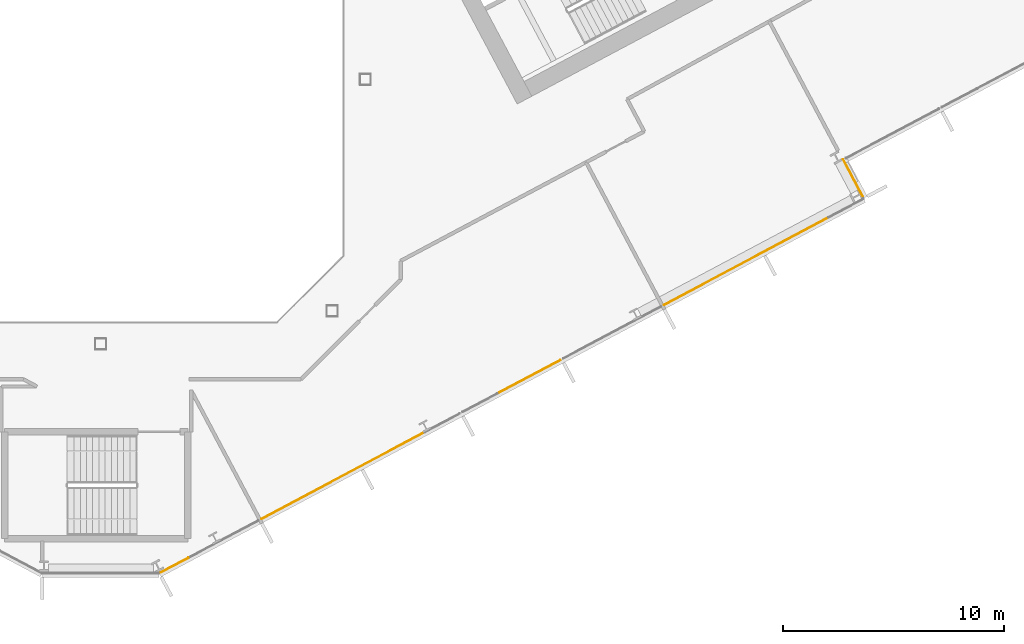
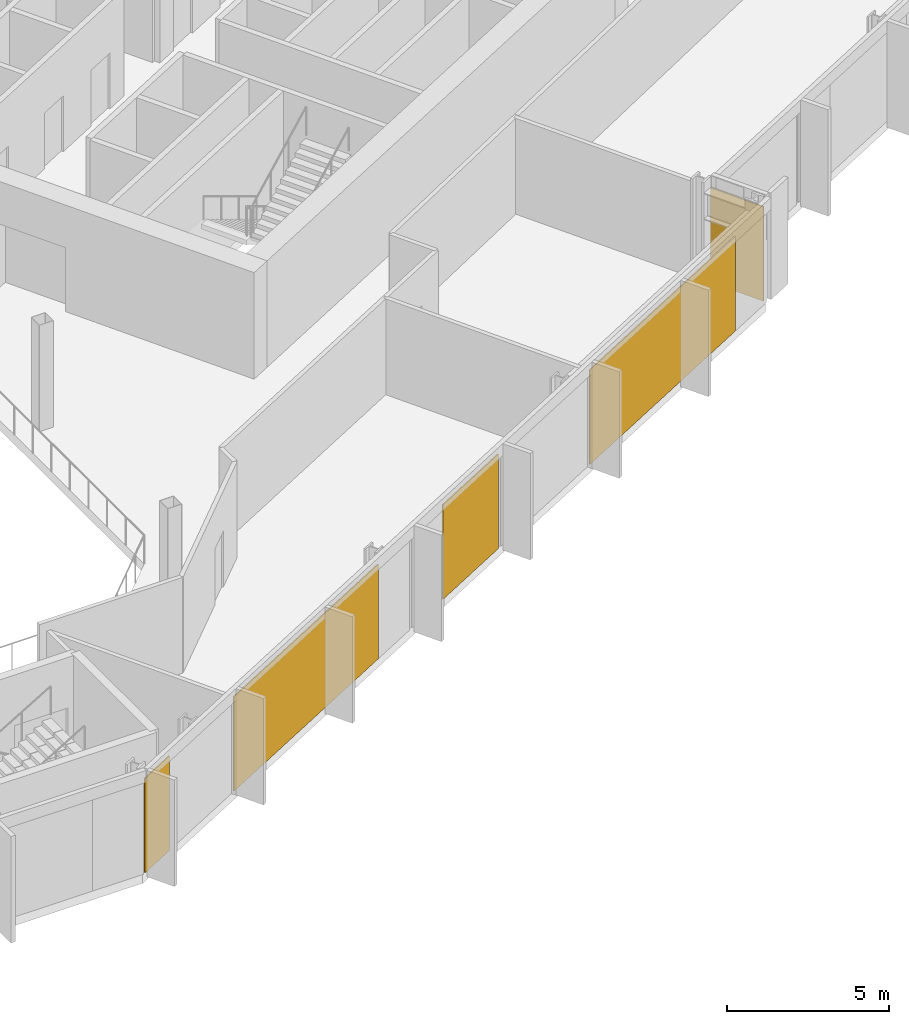
# One storey, part 24 of 28: 5 coverings, 2 elements without a shape of their own.
"""IFC4 building model written with IfcOpenShell, lengths in metres."""

from ifc_helpers import new_model, si_unit, direction, frame, origin, origin_2d, place, context, subcontext, project, spatial, rectangle, extrude, material, layer, layer_set, type_object, element, aggregate, save


model = new_model("IFC4")

# Units and contexts
model_context = context("Model", 3, precision=1e-05, world=origin(), true_north=direction((0.0, 1.0)))
body_context = subcontext(model_context, "Body", "Model", "MODEL_VIEW")
ifc_project = project(units=[si_unit("LENGTHUNIT", "METRE"), si_unit("AREAUNIT", "SQUARE_METRE"), si_unit("VOLUMEUNIT", "CUBIC_METRE"), si_unit("PLANEANGLEUNIT", "RADIAN"), si_unit("MASSUNIT", "GRAM", prefix="KILO")], contexts=[model_context])

# Site, building, storey
site_placement = place(None, origin())
site = spatial("IfcSite", under=ifc_project, at=site_placement, CompositionType="ELEMENT")
building_placement = place(site_placement, origin())
building = spatial("IfcBuilding", under=site, at=building_placement, Name="Cormorant Relay Tower", CompositionType="ELEMENT")
storey_placement = place(building_placement, frame((0.0, 0.0, 174.199951171875)))
storey = spatial("IfcBuildingStorey", under=building, at=storey_placement, Name="L37", CompositionType="ELEMENT", Elevation=174.199951171875)

# Curtain wall, coverings
ifc_material_1 = material(Name="Aluminium 6063-T6 anodised bronze", Category="aluminium")
ifc_layer_1 = layer(ifc_material_1, 0.199951171875)
ifc_layer_set_1 = layer_set([ifc_layer_1], Name="CW1 unitised bronze curtain wall with vertical fins")
curtain_wall_type = type_object("IfcCurtainWallType", Name="CW1 unitised bronze curtain wall with vertical fins", PredefinedType="NOTDEFINED", material=ifc_layer_set_1)
curtain_wall_1_placement = place(storey_placement, origin())
curtain_wall_1 = element("IfcCurtainWall", 1, at=curtain_wall_1_placement, inside=storey, type_object=curtain_wall_type, Name="CW1 curtain wall 2", PredefinedType="NOTDEFINED")
ifc_material_2 = material(Name="Pale bronze anodised aluminium insulated panel", Category="aluminium")
ifc_layer_2 = layer(ifc_material_2, 0.0400390625)
ifc_layer_set_2 = layer_set([ifc_layer_2], Name="CW1 pale bronze insulated panel 40")
covering_type = type_object("IfcCoveringType", Name="CW1 pale bronze insulated panel 40", PredefinedType="CLADDING", material=ifc_layer_set_2)
covering_1_placement = place(storey_placement, frame((3.349853515625, -22.025390625, 0.0), z_axis=(0.0, 0.0, 1.0), x_axis=(0.882947592859, 0.469471562786, 0.0)))
covering_1 = element("IfcCovering", 2, at=covering_1_placement, type_object=covering_type, Name="CW1 panel S00", PredefinedType="CLADDING", context=body_context, shape_type="SweptSolid", body=[
    extrude(rectangle(XDim=1.41650390625, YDim=0.0400390625, at=origin_2d()), origin(), (0.0, 0.0, 1.0), 3.550048828125),
])
covering_2_placement = place(storey_placement, frame((10.9873046875, -17.964599609375, 0.0), z_axis=(0.0, 0.0, 1.0), x_axis=(0.882947592859, 0.469471562786, 0.0)))
covering_2 = element("IfcCovering", 3, at=covering_2_placement, type_object=covering_type, Name="CW1 panel S02", PredefinedType="CLADDING", context=body_context, shape_type="SweptSolid", body=[
    extrude(rectangle(XDim=8.383056640625, YDim=0.0400390625, at=origin_2d()), origin(), (0.0, 0.0, 1.0), 3.550048828125),
])
covering_3_placement = place(storey_placement, frame((19.419189453125, -13.481201171875, 0.0), z_axis=(0.0, 0.0, 1.0), x_axis=(0.882947592859, 0.469471562786, 0.0)))
covering_3 = element("IfcCovering", 4, at=covering_3_placement, type_object=covering_type, Name="CW1 panel S05", PredefinedType="CLADDING", context=body_context, shape_type="SweptSolid", body=[
    extrude(rectangle(XDim=3.216552734375, YDim=0.0400390625, at=origin_2d()), origin(), (0.0, 0.0, 1.0), 3.550048828125),
])
covering_4_placement = place(storey_placement, frame((29.267578125, -8.244873046875, 0.0), z_axis=(0.0, 0.0, 1.0), x_axis=(0.882947592859, 0.469471562786, 0.0)))
covering_4 = element("IfcCovering", 5, at=covering_4_placement, type_object=covering_type, Name="CW1 panel S07", PredefinedType="CLADDING", context=body_context, shape_type="SweptSolid", body=[
    extrude(rectangle(XDim=8.4580078125, YDim=0.0400390625, at=origin_2d()), origin(), (0.0, 0.0, 1.0), 3.550048828125),
])
aggregate(curtain_wall_1, [covering_1, covering_2, covering_3, covering_4])

# Curtain wall, covering
curtain_wall_2_placement = place(storey_placement, origin())
curtain_wall_2 = element("IfcCurtainWall", 6, at=curtain_wall_2_placement, inside=storey, type_object=curtain_wall_type, Name="CW1 curtain wall 3", PredefinedType="NOTDEFINED")
covering_5_placement = place(storey_placement, frame((34.112060546875, -4.47119140625, 0.0), z_axis=(0.0, 0.0, 1.0), x_axis=(-0.469471562786, 0.882947592859, 0.0)))
covering_5 = element("IfcCovering", 7, at=covering_5_placement, type_object=covering_type, Name="CW1 panel S00", PredefinedType="CLADDING", context=body_context, shape_type="SweptSolid", body=[
    extrude(rectangle(XDim=1.925048828125, YDim=0.0400390625, at=origin_2d()), origin(), (0.0, 0.0, 1.0), 3.550048828125),
])
aggregate(curtain_wall_2, [covering_5])

save(model, "model.ifc")
